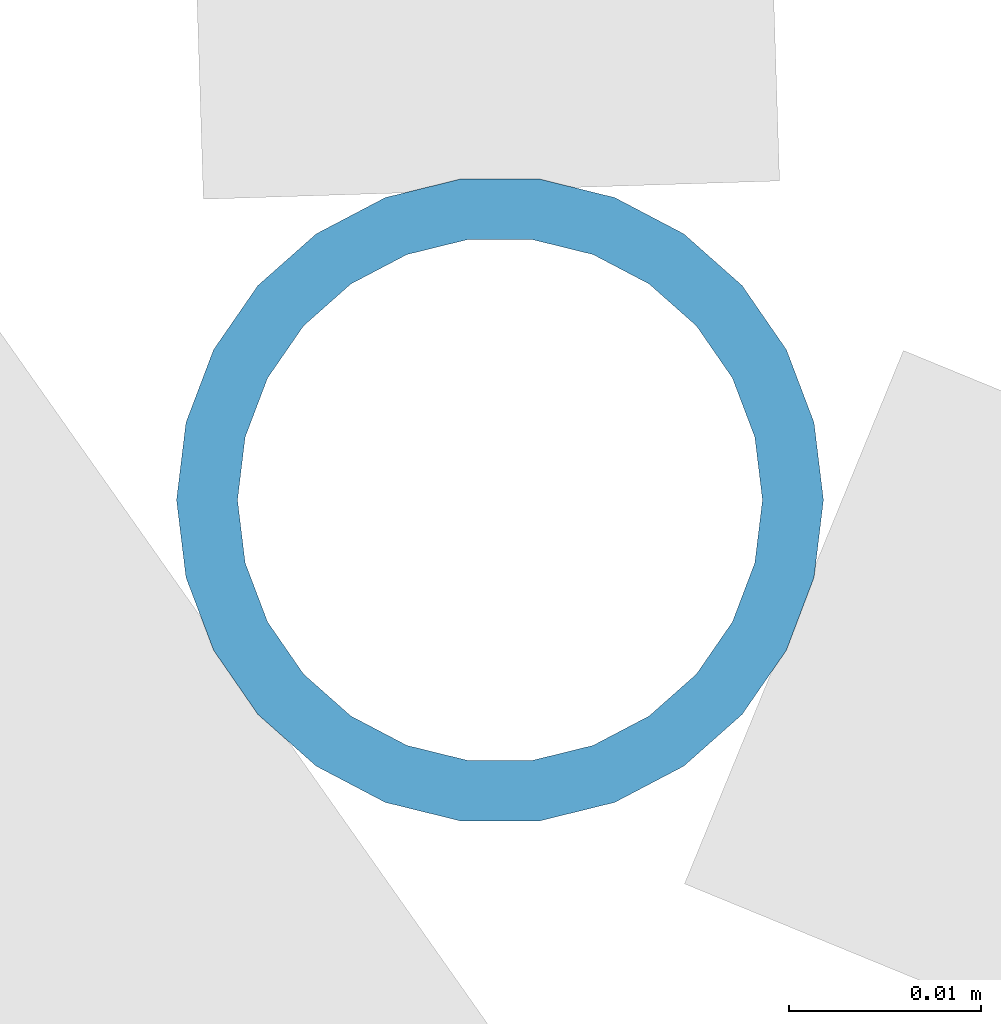
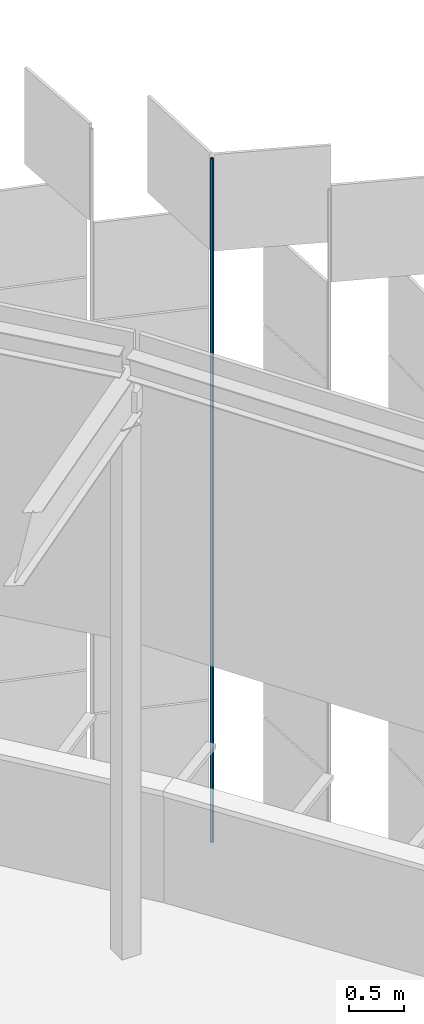
# One storey, part 310 of 483: 1 discrete accessory.
"""IFC4 building model written with IfcOpenShell, lengths in metres."""

from ifc_helpers import new_model, si_unit, direction, frame, origin, origin_2d, place, context, subcontext, project, spatial, hollow_circle, extrude, material, material_profile, profile_set, type_object, element, save


model = new_model("IFC4")

# Units and contexts
model_context = context("Model", 3, precision=1e-05, world=origin(), true_north=direction((0.0, 1.0)))
body_context = subcontext(model_context, "Body", "Model", "MODEL_VIEW")
ifc_project = project(units=[si_unit("LENGTHUNIT", "METRE"), si_unit("AREAUNIT", "SQUARE_METRE"), si_unit("VOLUMEUNIT", "CUBIC_METRE"), si_unit("PLANEANGLEUNIT", "RADIAN"), si_unit("MASSUNIT", "GRAM", prefix="KILO")], contexts=[model_context])

# Site, building, storey
site_placement = place(None, origin())
site = spatial("IfcSite", under=ifc_project, at=site_placement, CompositionType="ELEMENT")
building_placement = place(site_placement, origin())
building = spatial("IfcBuilding", under=site, at=building_placement, Name="Parallax Yard Mobility Hub", CompositionType="ELEMENT")
storey_placement = place(building_placement, frame((0.0, 0.0, 13.199951171875)))
storey = spatial("IfcBuildingStorey", under=building, at=storey_placement, Name="L04", CompositionType="ELEMENT", Elevation=13.199951171875)

# Discrete accessory
ifc_material = material(Name="Steel ASTM A500 Gr C, hot-dip galvanised", Category="steel")
ifc_material_profile = material_profile(ifc_material, hollow_circle(Radius=0.016845703125, WallThickness=0.003173828125, at=origin_2d()), Name="CHS 33.7x3.2")
ifc_profile_set = profile_set([ifc_material_profile], Name="Steel ASTM A500 Gr C, hot-dip galvanised")
discrete_accessory_type = type_object("IfcDiscreteAccessoryType", Name="Hinge post CHS 33.7x3.2", PredefinedType="BRACKET", material=ifc_profile_set)
discrete_accessory_placement = place(storey_placement, frame((215.644287109375, 121.336669921875, 0.0), z_axis=(0.0, 0.0, 1.0), x_axis=(1.0, 0.0, 0.0)))
element("IfcDiscreteAccessory", 1, at=discrete_accessory_placement, inside=storey, type_object=discrete_accessory_type, Name="Hinge post bay 45.1 level L04", PredefinedType="BRACKET", context=body_context, shape_type="SweptSolid", body=[
    extrude(hollow_circle(Radius=0.016845703125, WallThickness=0.003173828125, at=origin_2d()), origin(), (0.0, 0.0, 1.0), 7.650146484375),
])

save(model, "model.ifc")
